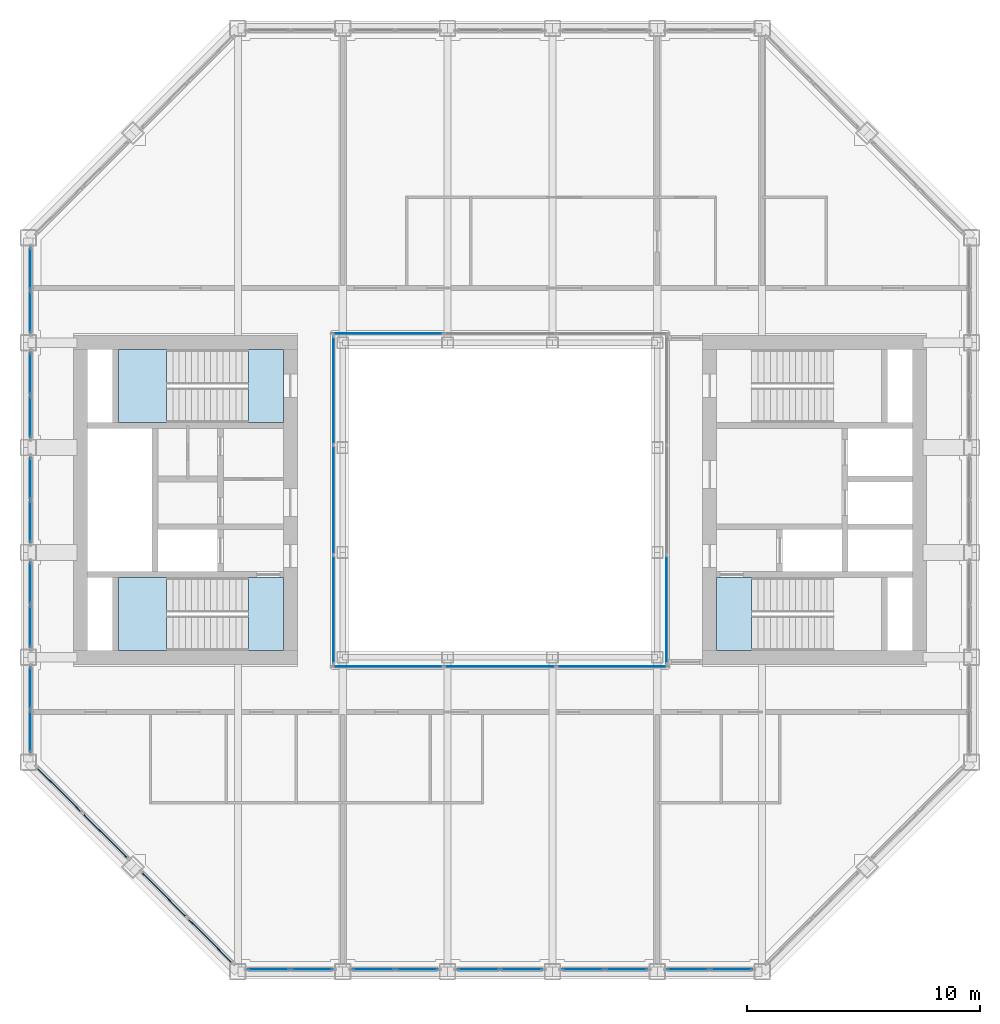
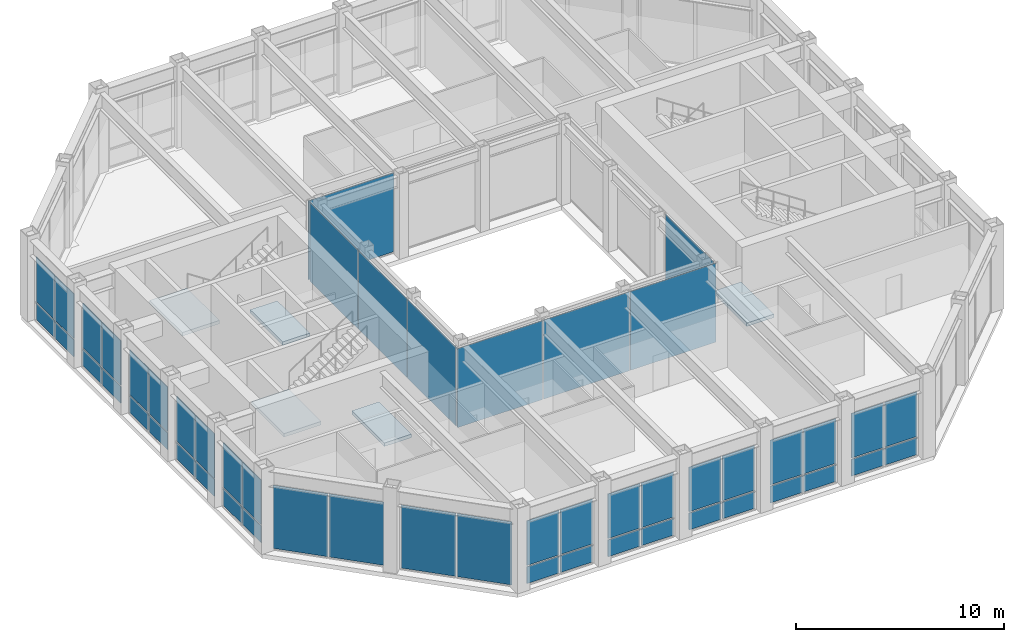
# One storey, part 9 of 15: 52 plates, 5 slabs, 19 elements without a shape of their own.
"""IFC4 building model written with IfcOpenShell, lengths in metres."""

import ifcopenshell
import ifcopenshell.guid

model = None  # the IFC model being written
_history = None  # IfcOwnerHistory: only IFC2X3 demands one
_inside = {}  # id of a spatial element -> (the spatial element, [elements in it])
_under = {}  # id of a project, library or spatial element -> (it, [spatial elements below it])
_declared = {}  # id of a project -> (the project, [libraries it declares])
_typed = {}  # id of a type object -> (the type object, [elements of that type])
_made_of = {}  # id of a material, layer set ... -> (it, [elements and type objects made of it])


def new_model(schema):
    """Start an empty IFC model of exactly this schema.

    Asked for "IFC4X3", IfcOpenShell would pick the latest addendum, in which some entities
    have other attributes; the version numbers below select the first issue.
    IFC2X3 requires an IfcOwnerHistory on every rooted entity: one is made here for all.
    """
    global model, _history
    if schema == "IFC4X3":
        model = ifcopenshell.file(schema_version=(4, 3, 0, 0))
    else:
        model = ifcopenshell.file(schema=schema)
    _inside.clear()
    _under.clear()
    _declared.clear()
    _typed.clear()
    _made_of.clear()
    _history = None
    if model.schema == "IFC2X3":
        org = make("IfcOrganization", Name="unknown")
        user = make(
            "IfcPersonAndOrganization",
            ThePerson=make("IfcPerson", FamilyName="unknown"),
            TheOrganization=org,
        )
        app = make(
            "IfcApplication",
            ApplicationDeveloper=org,
            Version="unknown",
            ApplicationFullName="unknown",
            ApplicationIdentifier="unknown",
        )
        _history = make(
            "IfcOwnerHistory",
            OwningUser=user,
            OwningApplication=app,
            ChangeAction="ADDED",
            CreationDate=0,
        )
    return model


def make(cls, **values):
    """One entity of the class cls with the attributes given. An attribute that is None is left unset."""
    return model.create_entity(
        cls, **{name: value for name, value in values.items() if value is not None}
    )


def rooted(cls, **values):
    """An entity with a GlobalId (a new one), such as an element, a storey or a relation."""
    return make(cls, GlobalId=ifcopenshell.guid.new(), OwnerHistory=_history, **values)


def si_unit(unit_type, name, prefix=None):
    """IfcSIUnit, for example si_unit("LENGTHUNIT", "METRE", prefix="MILLI")."""
    return make("IfcSIUnit", UnitType=unit_type, Prefix=prefix, Name=name)


def assignment(units):
    """IfcUnitAssignment: the units of a project."""
    return None if units is None else make("IfcUnitAssignment", Units=units)


def point(xyz):
    """IfcCartesianPoint."""
    return None if xyz is None else make("IfcCartesianPoint", Coordinates=xyz)


def direction(xyz):
    """IfcDirection."""
    return None if xyz is None else make("IfcDirection", DirectionRatios=xyz)


def frame(location, z_axis=None, x_axis=None):
    """IfcAxis2Placement3D, a coordinate frame: its origin and axes. An axis left out is left unset."""
    return make(
        "IfcAxis2Placement3D",
        Location=point(location),
        Axis=direction(z_axis),
        RefDirection=direction(x_axis),
    )


def frame_2d(location, x_axis=None):
    """IfcAxis2Placement2D, a coordinate frame in the plane: its origin and x axis."""
    return make(
        "IfcAxis2Placement2D", Location=point(location), RefDirection=direction(x_axis)
    )


def origin():
    """The frame at (0, 0, 0) with its axes left unset."""
    return frame((0.0, 0.0, 0.0))


def origin_2d():
    """The frame at (0, 0) in the plane with its x axis left unset."""
    return frame_2d((0.0, 0.0))


def place(relative_to, where):
    """IfcLocalPlacement: puts the frame where relative to a parent placement (None: the world)."""
    return make(
        "IfcLocalPlacement", PlacementRelTo=relative_to, RelativePlacement=where
    )


def context(
    kind, dimensions, precision=None, world=None, true_north=None, identifier=None
):
    """IfcGeometricRepresentationContext, for example the 3D "Model" context."""
    return make(
        "IfcGeometricRepresentationContext",
        ContextIdentifier=identifier,
        ContextType=kind,
        CoordinateSpaceDimension=dimensions,
        Precision=precision,
        WorldCoordinateSystem=world,
        TrueNorth=true_north,
    )


def subcontext(parent, identifier, kind, view, scale=None):
    """IfcGeometricRepresentationSubContext, for example "Body" below "Model"."""
    return make(
        "IfcGeometricRepresentationSubContext",
        ContextIdentifier=identifier,
        ContextType=kind,
        ParentContext=parent,
        TargetScale=scale,
        TargetView=view,
    )


def project(units=None, contexts=None):
    """IfcProject with its units and contexts."""
    return rooted(
        "IfcProject",
        Name="project",
        RepresentationContexts=contexts,
        UnitsInContext=assignment(units),
    )


def spatial(cls, under=None, at=None, **own):
    """A site, building, storey or space (cls), placed at a placement, below another one or the project."""
    s = rooted(cls, ObjectPlacement=at, **own)
    if under is not None:
        _under.setdefault(under.id(), (under, []))[1].append(s)
    return s


def polyline(points):
    """IfcPolyline through the points."""
    return make("IfcPolyline", Points=[point(p) for p in points])


def profile(cls, at=None, kind="AREA", **sizes):
    """A parametric profile (cls). Its sizes go by their IFC names, for example OverallWidth=200.0."""
    return make(cls, ProfileType=kind, Position=at, **sizes)


def rectangle(**sizes):
    """IfcRectangleProfileDef."""
    return profile("IfcRectangleProfileDef", **sizes)


def outline(outer, holes=None, kind="AREA"):
    """IfcArbitraryClosedProfileDef: a profile drawn as a closed curve; with holes, ...WithVoids."""
    if holes is None:
        return make("IfcArbitraryClosedProfileDef", ProfileType=kind, OuterCurve=outer)
    return make(
        "IfcArbitraryProfileDefWithVoids",
        ProfileType=kind,
        OuterCurve=outer,
        InnerCurves=holes,
    )


def extrude(swept, where, along, depth):
    """IfcExtrudedAreaSolid: the profile swept, set in the frame where, extruded along a direction by depth."""
    return make(
        "IfcExtrudedAreaSolid",
        SweptArea=swept,
        Position=where,
        ExtrudedDirection=direction(along),
        Depth=depth,
    )


def shape(context_of_items, identifier, shape_type, items):
    """IfcShapeRepresentation: the items that make up one representation, for example the "Body"."""
    return make(
        "IfcShapeRepresentation",
        ContextOfItems=context_of_items,
        RepresentationIdentifier=identifier,
        RepresentationType=shape_type,
        Items=items,
    )


def material(Name=None, Category=None):
    """IfcMaterial."""
    return make("IfcMaterial", Name=Name, Category=Category)


def layer(
    of_material, thickness, ventilated=None, Name=None, Category=None, Priority=None
):
    """IfcMaterialLayer: one layer of a wall or slab, of a material (None: an air gap)."""
    return make(
        "IfcMaterialLayer",
        Material=of_material,
        LayerThickness=thickness,
        IsVentilated=ventilated,
        Name=Name,
        Category=Category,
        Priority=Priority,
    )


def layer_set(layers, Name=None):
    """IfcMaterialLayerSet."""
    return make("IfcMaterialLayerSet", MaterialLayers=layers, LayerSetName=Name)


def made_of(thing, what):
    """Note that an element or type object is made of a material, layer set ...; save() writes the relation."""
    if what is not None:
        _made_of.setdefault(what.id(), (what, []))[1].append(thing)
    return thing


def type_object(cls, material=None, **own):
    """A type object (cls), such as IfcWallType, which elements share."""
    return made_of(rooted(cls, **own), material)


def element(
    cls,
    number,
    at=None,
    inside=None,
    cuts=None,
    type_object=None,
    material=None,
    context=None,
    identifier="Body",
    shape_type=None,
    held_by="IfcProductDefinitionShape",
    body=None,
    shapes=None,
    **own,
):
    """One element of the class cls, such as IfcWall. Its Tag is "e" and its number.

    at: its placement. inside: the storey or other place that contains it. cuts: it is an
    opening in that element (IfcRelVoidsElement). A single representation is given by context,
    identifier, shape_type and body (its items); several are given by shapes. held_by: the class
    of the entity that holds the representations. save() writes the other relations.
    """
    e = rooted(cls, Tag="e%d" % number, ObjectPlacement=at, **own)
    if body is not None:
        shapes = [shape(context, identifier, shape_type, body)]
    if shapes is not None:
        e.Representation = make(held_by, Representations=shapes)
    if inside is not None:
        _inside.setdefault(inside.id(), (inside, []))[1].append(e)
    if cuts is not None:
        rooted(
            "IfcRelVoidsElement", RelatingBuildingElement=cuts, RelatedOpeningElement=e
        )
    if type_object is not None:
        _typed.setdefault(type_object.id(), (type_object, []))[1].append(e)
    return made_of(e, material)


def aggregate(whole, parts):
    """IfcRelAggregates: a whole, such as a stair, and the parts it consists of."""
    return rooted("IfcRelAggregates", RelatingObject=whole, RelatedObjects=parts)


def save(model, path):
    """Write the relations noted so far, then the file.

    IfcRelAggregates (storeys below a building ...), IfcRelContainedInSpatialStructure (elements
    in a storey), IfcRelDefinesByType, IfcRelAssociatesMaterial and IfcRelDeclares: one each for
    every whole, place, type object, material and project.
    """
    for whole, parts in _under.values():
        aggregate(whole, parts)
    for where, things in _inside.values():
        rooted(
            "IfcRelContainedInSpatialStructure",
            RelatedElements=things,
            RelatingStructure=where,
        )
    for kind, things in _typed.values():
        rooted("IfcRelDefinesByType", RelatedObjects=things, RelatingType=kind)
    for what, things in _made_of.values():
        rooted("IfcRelAssociatesMaterial", RelatedObjects=things, RelatingMaterial=what)
    for by, libraries in _declared.values():
        rooted("IfcRelDeclares", RelatingContext=by, RelatedDefinitions=libraries)
    model.write(path)


model = new_model("IFC4")

# Units and contexts
model_context = context("Model", 3, precision=1e-05, world=origin(), true_north=direction((0.0, 1.0)))
body_context = subcontext(model_context, "Body", "Model", "MODEL_VIEW")
ifc_project = project(units=[si_unit("LENGTHUNIT", "METRE"), si_unit("AREAUNIT", "SQUARE_METRE"), si_unit("VOLUMEUNIT", "CUBIC_METRE"), si_unit("PLANEANGLEUNIT", "RADIAN"), si_unit("MASSUNIT", "GRAM", prefix="KILO")], contexts=[model_context])

# Site, building, storey
site_placement = place(None, origin())
site = spatial("IfcSite", under=ifc_project, at=site_placement, CompositionType="ELEMENT")
building_placement = place(site_placement, origin())
building = spatial("IfcBuilding", under=site, at=building_placement, Name="Msasa Ring Tower", CompositionType="ELEMENT")
storey_placement = place(building_placement, frame((0.0, 0.0, 257.050048828125)))
storey = spatial("IfcBuildingStorey", under=building, at=storey_placement, Name="L67", CompositionType="ELEMENT", Elevation=257.050048828125)

# Curtain wall, plates
ifc_material_1 = material(Name="Aluminium curtain wall with clear glass", Category="aluminium")
curtain_wall_type_1 = type_object("IfcCurtainWallType", Name="CW-C CHAMFER CORNER CURTAIN WALL", PredefinedType="NOTDEFINED", material=ifc_material_1)
curtain_wall_1_placement = place(storey_placement, origin())
curtain_wall_1 = element("IfcCurtainWall", 1, at=curtain_wall_1_placement, inside=storey, type_object=curtain_wall_type_1, Name="Chamfer corner curtain wall SW L67", PredefinedType="NOTDEFINED")
ifc_material_2 = material(Name="Clear laminated insulating glass unit", Category="glass")
ifc_layer_1 = layer(ifc_material_2, 0.031982421875)
ifc_layer_set_1 = layer_set([ifc_layer_1], Name="CW-C GLASS PANEL 32")
plate_type_1 = type_object("IfcPlateType", Name="CW-C GLASS PANEL 32", PredefinedType="CURTAIN_PANEL", material=ifc_layer_set_1)
plate_1_placement = place(storey_placement, frame((-18.917236328125, -12.44140625, 0.06494140625), z_axis=(0.0, 0.0, 1.0), x_axis=(0.707106781187, -0.707106781187, 0.0)))
plate_1 = element("IfcPlate", 2, at=plate_1_placement, type_object=plate_type_1, Name="CW-C panel 1.1", PredefinedType="CURTAIN_PANEL", context=body_context, shape_type="SweptSolid", body=[
    extrude(rectangle(XDim=2.7294921875, YDim=0.031982421875, at=origin_2d()), origin(), (0.0, 0.0, 1.0), 3.698974609375),
])
plate_2_placement = place(storey_placement, frame((-16.94140625, -14.417236328125, 0.06494140625), z_axis=(0.0, 0.0, 1.0), x_axis=(0.707106781187, -0.707106781187, 0.0)))
plate_2 = element("IfcPlate", 3, at=plate_2_placement, type_object=plate_type_1, Name="CW-C panel 2.1", PredefinedType="CURTAIN_PANEL", context=body_context, shape_type="SweptSolid", body=[
    extrude(rectangle(XDim=2.7294921875, YDim=0.031982421875, at=origin_2d()), origin(), (0.0, 0.0, 1.0), 3.698974609375),
])
aggregate(curtain_wall_1, [plate_1, plate_2])

curtain_wall_2_placement = place(storey_placement, origin())
curtain_wall_2 = element("IfcCurtainWall", 4, at=curtain_wall_2_placement, inside=storey, type_object=curtain_wall_type_1, Name="Chamfer corner curtain wall SW L67", PredefinedType="NOTDEFINED")
plate_3_placement = place(storey_placement, frame((-14.417236328125, -16.94140625, 0.06494140625), z_axis=(0.0, 0.0, 1.0), x_axis=(0.707106781187, -0.707106781187, 0.0)))
plate_3 = element("IfcPlate", 5, at=plate_3_placement, type_object=plate_type_1, Name="CW-C panel 1.1", PredefinedType="CURTAIN_PANEL", context=body_context, shape_type="SweptSolid", body=[
    extrude(rectangle(XDim=2.7294921875, YDim=0.031982421875, at=origin_2d()), origin(), (0.0, 0.0, 1.0), 3.698974609375),
])
plate_4_placement = place(storey_placement, frame((-12.44140625, -18.917236328125, 0.06494140625), z_axis=(0.0, 0.0, 1.0), x_axis=(0.707106781187, -0.707106781187, 0.0)))
plate_4 = element("IfcPlate", 6, at=plate_4_placement, type_object=plate_type_1, Name="CW-C panel 2.1", PredefinedType="CURTAIN_PANEL", context=body_context, shape_type="SweptSolid", body=[
    extrude(rectangle(XDim=2.7294921875, YDim=0.031982421875, at=origin_2d()), origin(), (0.0, 0.0, 1.0), 3.698974609375),
])
aggregate(curtain_wall_2, [plate_3, plate_4])

ifc_material_3 = material(Name="Aluminium curtain wall with clear glass", Category="aluminium")
curtain_wall_type_2 = type_object("IfcCurtainWallType", Name="CW-S SKY LOBBY CURTAIN WALL", PredefinedType="NOTDEFINED", material=ifc_material_3)
curtain_wall_3_placement = place(storey_placement, origin())
curtain_wall_3 = element("IfcCurtainWall", 7, at=curtain_wall_3_placement, inside=storey, type_object=curtain_wall_type_2, Name="Sky lobby curtain wall S L67", PredefinedType="NOTDEFINED")
ifc_material_4 = material(Name="Clear laminated insulating glass unit", Category="glass")
ifc_layer_2 = layer(ifc_material_4, 0.035888671875)
ifc_layer_set_2 = layer_set([ifc_layer_2], Name="CW-S GLASS PANEL 36")
plate_type_2 = type_object("IfcPlateType", Name="CW-S GLASS PANEL 36", PredefinedType="CURTAIN_PANEL", material=ifc_layer_set_2)
plate_5_placement = place(storey_placement, frame((-9.9287109375, -20.14990234375, 0.07470703125), z_axis=(0.0, 0.0, 1.0), x_axis=(1.0, 0.0, 0.0)))
plate_5 = element("IfcPlate", 8, at=plate_5_placement, type_object=plate_type_2, Name="CW-S panel 1.1", PredefinedType="CURTAIN_PANEL", context=body_context, shape_type="SweptSolid", body=[
    extrude(rectangle(XDim=1.782470703125, YDim=0.035888671875, at=origin_2d()), origin(), (0.0, 0.0, 1.0), 0.987548828125),
])
plate_6_placement = place(storey_placement, frame((-9.9287109375, -20.14990234375, 1.1376953125), z_axis=(0.0, 0.0, 1.0), x_axis=(1.0, 0.0, 0.0)))
plate_6 = element("IfcPlate", 9, at=plate_6_placement, type_object=plate_type_2, Name="CW-S panel 1.2", PredefinedType="CURTAIN_PANEL", context=body_context, shape_type="SweptSolid", body=[
    extrude(rectangle(XDim=1.782470703125, YDim=0.035888671875, at=origin_2d()), origin(), (0.0, 0.0, 1.0), 2.616455078125),
])
plate_7_placement = place(storey_placement, frame((-8.0712890625, -20.14990234375, 0.07470703125), z_axis=(0.0, 0.0, 1.0), x_axis=(1.0, 0.0, 0.0)))
plate_7 = element("IfcPlate", 10, at=plate_7_placement, type_object=plate_type_2, Name="CW-S panel 2.1", PredefinedType="CURTAIN_PANEL", context=body_context, shape_type="SweptSolid", body=[
    extrude(rectangle(XDim=1.782470703125, YDim=0.035888671875, at=origin_2d()), origin(), (0.0, 0.0, 1.0), 0.987548828125),
])
plate_8_placement = place(storey_placement, frame((-8.0712890625, -20.14990234375, 1.1376953125), z_axis=(0.0, 0.0, 1.0), x_axis=(1.0, 0.0, 0.0)))
plate_8 = element("IfcPlate", 11, at=plate_8_placement, type_object=plate_type_2, Name="CW-S panel 2.2", PredefinedType="CURTAIN_PANEL", context=body_context, shape_type="SweptSolid", body=[
    extrude(rectangle(XDim=1.782470703125, YDim=0.035888671875, at=origin_2d()), origin(), (0.0, 0.0, 1.0), 2.616455078125),
])
aggregate(curtain_wall_3, [plate_5, plate_6, plate_7, plate_8])

curtain_wall_4_placement = place(storey_placement, origin())
curtain_wall_4 = element("IfcCurtainWall", 12, at=curtain_wall_4_placement, inside=storey, type_object=curtain_wall_type_2, Name="Sky lobby curtain wall S L67", PredefinedType="NOTDEFINED")
plate_9_placement = place(storey_placement, frame((-5.4287109375, -20.14990234375, 0.07470703125), z_axis=(0.0, 0.0, 1.0), x_axis=(1.0, 0.0, 0.0)))
plate_9 = element("IfcPlate", 13, at=plate_9_placement, type_object=plate_type_2, Name="CW-S panel 1.1", PredefinedType="CURTAIN_PANEL", context=body_context, shape_type="SweptSolid", body=[
    extrude(rectangle(XDim=1.782470703125, YDim=0.035888671875, at=origin_2d()), origin(), (0.0, 0.0, 1.0), 0.987548828125),
])
plate_10_placement = place(storey_placement, frame((-5.4287109375, -20.14990234375, 1.1376953125), z_axis=(0.0, 0.0, 1.0), x_axis=(1.0, 0.0, 0.0)))
plate_10 = element("IfcPlate", 14, at=plate_10_placement, type_object=plate_type_2, Name="CW-S panel 1.2", PredefinedType="CURTAIN_PANEL", context=body_context, shape_type="SweptSolid", body=[
    extrude(rectangle(XDim=1.782470703125, YDim=0.035888671875, at=origin_2d()), origin(), (0.0, 0.0, 1.0), 2.616455078125),
])
plate_11_placement = place(storey_placement, frame((-3.5712890625, -20.14990234375, 0.07470703125), z_axis=(0.0, 0.0, 1.0), x_axis=(1.0, 0.0, 0.0)))
plate_11 = element("IfcPlate", 15, at=plate_11_placement, type_object=plate_type_2, Name="CW-S panel 2.1", PredefinedType="CURTAIN_PANEL", context=body_context, shape_type="SweptSolid", body=[
    extrude(rectangle(XDim=1.782470703125, YDim=0.035888671875, at=origin_2d()), origin(), (0.0, 0.0, 1.0), 0.987548828125),
])
plate_12_placement = place(storey_placement, frame((-3.5712890625, -20.14990234375, 1.1376953125), z_axis=(0.0, 0.0, 1.0), x_axis=(1.0, 0.0, 0.0)))
plate_12 = element("IfcPlate", 16, at=plate_12_placement, type_object=plate_type_2, Name="CW-S panel 2.2", PredefinedType="CURTAIN_PANEL", context=body_context, shape_type="SweptSolid", body=[
    extrude(rectangle(XDim=1.782470703125, YDim=0.035888671875, at=origin_2d()), origin(), (0.0, 0.0, 1.0), 2.616455078125),
])
aggregate(curtain_wall_4, [plate_9, plate_10, plate_11, plate_12])

curtain_wall_5_placement = place(storey_placement, origin())
curtain_wall_5 = element("IfcCurtainWall", 17, at=curtain_wall_5_placement, inside=storey, type_object=curtain_wall_type_2, Name="Sky lobby curtain wall S L67", PredefinedType="NOTDEFINED")
plate_13_placement = place(storey_placement, frame((-0.9287109375, -20.14990234375, 0.07470703125), z_axis=(0.0, 0.0, 1.0), x_axis=(1.0, 0.0, 0.0)))
plate_13 = element("IfcPlate", 18, at=plate_13_placement, type_object=plate_type_2, Name="CW-S panel 1.1", PredefinedType="CURTAIN_PANEL", context=body_context, shape_type="SweptSolid", body=[
    extrude(rectangle(XDim=1.782470703125, YDim=0.035888671875, at=origin_2d()), origin(), (0.0, 0.0, 1.0), 0.987548828125),
])
plate_14_placement = place(storey_placement, frame((-0.9287109375, -20.14990234375, 1.1376953125), z_axis=(0.0, 0.0, 1.0), x_axis=(1.0, 0.0, 0.0)))
plate_14 = element("IfcPlate", 19, at=plate_14_placement, type_object=plate_type_2, Name="CW-S panel 1.2", PredefinedType="CURTAIN_PANEL", context=body_context, shape_type="SweptSolid", body=[
    extrude(rectangle(XDim=1.782470703125, YDim=0.035888671875, at=origin_2d()), origin(), (0.0, 0.0, 1.0), 2.616455078125),
])
plate_15_placement = place(storey_placement, frame((0.9287109375, -20.14990234375, 0.07470703125), z_axis=(0.0, 0.0, 1.0), x_axis=(1.0, 0.0, 0.0)))
plate_15 = element("IfcPlate", 20, at=plate_15_placement, type_object=plate_type_2, Name="CW-S panel 2.1", PredefinedType="CURTAIN_PANEL", context=body_context, shape_type="SweptSolid", body=[
    extrude(rectangle(XDim=1.782470703125, YDim=0.035888671875, at=origin_2d()), origin(), (0.0, 0.0, 1.0), 0.987548828125),
])
plate_16_placement = place(storey_placement, frame((0.9287109375, -20.14990234375, 1.1376953125), z_axis=(0.0, 0.0, 1.0), x_axis=(1.0, 0.0, 0.0)))
plate_16 = element("IfcPlate", 21, at=plate_16_placement, type_object=plate_type_2, Name="CW-S panel 2.2", PredefinedType="CURTAIN_PANEL", context=body_context, shape_type="SweptSolid", body=[
    extrude(rectangle(XDim=1.782470703125, YDim=0.035888671875, at=origin_2d()), origin(), (0.0, 0.0, 1.0), 2.616455078125),
])
aggregate(curtain_wall_5, [plate_13, plate_14, plate_15, plate_16])

curtain_wall_6_placement = place(storey_placement, origin())
curtain_wall_6 = element("IfcCurtainWall", 22, at=curtain_wall_6_placement, inside=storey, type_object=curtain_wall_type_2, Name="Sky lobby curtain wall S L67", PredefinedType="NOTDEFINED")
plate_17_placement = place(storey_placement, frame((3.5712890625, -20.14990234375, 0.07470703125), z_axis=(0.0, 0.0, 1.0), x_axis=(1.0, 0.0, 0.0)))
plate_17 = element("IfcPlate", 23, at=plate_17_placement, type_object=plate_type_2, Name="CW-S panel 1.1", PredefinedType="CURTAIN_PANEL", context=body_context, shape_type="SweptSolid", body=[
    extrude(rectangle(XDim=1.782470703125, YDim=0.035888671875, at=origin_2d()), origin(), (0.0, 0.0, 1.0), 0.987548828125),
])
plate_18_placement = place(storey_placement, frame((3.5712890625, -20.14990234375, 1.1376953125), z_axis=(0.0, 0.0, 1.0), x_axis=(1.0, 0.0, 0.0)))
plate_18 = element("IfcPlate", 24, at=plate_18_placement, type_object=plate_type_2, Name="CW-S panel 1.2", PredefinedType="CURTAIN_PANEL", context=body_context, shape_type="SweptSolid", body=[
    extrude(rectangle(XDim=1.782470703125, YDim=0.035888671875, at=origin_2d()), origin(), (0.0, 0.0, 1.0), 2.616455078125),
])
plate_19_placement = place(storey_placement, frame((5.4287109375, -20.14990234375, 0.07470703125), z_axis=(0.0, 0.0, 1.0), x_axis=(1.0, 0.0, 0.0)))
plate_19 = element("IfcPlate", 25, at=plate_19_placement, type_object=plate_type_2, Name="CW-S panel 2.1", PredefinedType="CURTAIN_PANEL", context=body_context, shape_type="SweptSolid", body=[
    extrude(rectangle(XDim=1.782470703125, YDim=0.035888671875, at=origin_2d()), origin(), (0.0, 0.0, 1.0), 0.987548828125),
])
plate_20_placement = place(storey_placement, frame((5.4287109375, -20.14990234375, 1.1376953125), z_axis=(0.0, 0.0, 1.0), x_axis=(1.0, 0.0, 0.0)))
plate_20 = element("IfcPlate", 26, at=plate_20_placement, type_object=plate_type_2, Name="CW-S panel 2.2", PredefinedType="CURTAIN_PANEL", context=body_context, shape_type="SweptSolid", body=[
    extrude(rectangle(XDim=1.782470703125, YDim=0.035888671875, at=origin_2d()), origin(), (0.0, 0.0, 1.0), 2.616455078125),
])
aggregate(curtain_wall_6, [plate_17, plate_18, plate_19, plate_20])

curtain_wall_7_placement = place(storey_placement, origin())
curtain_wall_7 = element("IfcCurtainWall", 27, at=curtain_wall_7_placement, inside=storey, type_object=curtain_wall_type_2, Name="Sky lobby curtain wall S L67", PredefinedType="NOTDEFINED")
plate_21_placement = place(storey_placement, frame((8.0712890625, -20.14990234375, 0.07470703125), z_axis=(0.0, 0.0, 1.0), x_axis=(1.0, 0.0, 0.0)))
plate_21 = element("IfcPlate", 28, at=plate_21_placement, type_object=plate_type_2, Name="CW-S panel 1.1", PredefinedType="CURTAIN_PANEL", context=body_context, shape_type="SweptSolid", body=[
    extrude(rectangle(XDim=1.782470703125, YDim=0.035888671875, at=origin_2d()), origin(), (0.0, 0.0, 1.0), 0.987548828125),
])
plate_22_placement = place(storey_placement, frame((8.0712890625, -20.14990234375, 1.1376953125), z_axis=(0.0, 0.0, 1.0), x_axis=(1.0, 0.0, 0.0)))
plate_22 = element("IfcPlate", 29, at=plate_22_placement, type_object=plate_type_2, Name="CW-S panel 1.2", PredefinedType="CURTAIN_PANEL", context=body_context, shape_type="SweptSolid", body=[
    extrude(rectangle(XDim=1.782470703125, YDim=0.035888671875, at=origin_2d()), origin(), (0.0, 0.0, 1.0), 2.616455078125),
])
plate_23_placement = place(storey_placement, frame((9.9287109375, -20.14990234375, 0.07470703125), z_axis=(0.0, 0.0, 1.0), x_axis=(1.0, 0.0, 0.0)))
plate_23 = element("IfcPlate", 30, at=plate_23_placement, type_object=plate_type_2, Name="CW-S panel 2.1", PredefinedType="CURTAIN_PANEL", context=body_context, shape_type="SweptSolid", body=[
    extrude(rectangle(XDim=1.782470703125, YDim=0.035888671875, at=origin_2d()), origin(), (0.0, 0.0, 1.0), 0.987548828125),
])
plate_24_placement = place(storey_placement, frame((9.9287109375, -20.14990234375, 1.1376953125), z_axis=(0.0, 0.0, 1.0), x_axis=(1.0, 0.0, 0.0)))
plate_24 = element("IfcPlate", 31, at=plate_24_placement, type_object=plate_type_2, Name="CW-S panel 2.2", PredefinedType="CURTAIN_PANEL", context=body_context, shape_type="SweptSolid", body=[
    extrude(rectangle(XDim=1.782470703125, YDim=0.035888671875, at=origin_2d()), origin(), (0.0, 0.0, 1.0), 2.616455078125),
])
aggregate(curtain_wall_7, [plate_21, plate_22, plate_23, plate_24])

curtain_wall_8_placement = place(storey_placement, origin())
curtain_wall_8 = element("IfcCurtainWall", 32, at=curtain_wall_8_placement, inside=storey, type_object=curtain_wall_type_2, Name="Sky lobby curtain wall W L67", PredefinedType="NOTDEFINED")
plate_25_placement = place(storey_placement, frame((-20.14990234375, -9.9287109375, 0.07470703125), z_axis=(0.0, 0.0, 1.0), x_axis=(0.0, 1.0, 0.0)))
plate_25 = element("IfcPlate", 33, at=plate_25_placement, type_object=plate_type_2, Name="CW-S panel 1.1", PredefinedType="CURTAIN_PANEL", context=body_context, shape_type="SweptSolid", body=[
    extrude(rectangle(XDim=1.782470703125, YDim=0.035888671875, at=origin_2d()), origin(), (0.0, 0.0, 1.0), 0.987548828125),
])
plate_26_placement = place(storey_placement, frame((-20.14990234375, -9.9287109375, 1.1376953125), z_axis=(0.0, 0.0, 1.0), x_axis=(0.0, 1.0, 0.0)))
plate_26 = element("IfcPlate", 34, at=plate_26_placement, type_object=plate_type_2, Name="CW-S panel 1.2", PredefinedType="CURTAIN_PANEL", context=body_context, shape_type="SweptSolid", body=[
    extrude(rectangle(XDim=1.782470703125, YDim=0.035888671875, at=origin_2d()), origin(), (0.0, 0.0, 1.0), 2.616455078125),
])
plate_27_placement = place(storey_placement, frame((-20.14990234375, -8.0712890625, 0.07470703125), z_axis=(0.0, 0.0, 1.0), x_axis=(0.0, 1.0, 0.0)))
plate_27 = element("IfcPlate", 35, at=plate_27_placement, type_object=plate_type_2, Name="CW-S panel 2.1", PredefinedType="CURTAIN_PANEL", context=body_context, shape_type="SweptSolid", body=[
    extrude(rectangle(XDim=1.782470703125, YDim=0.035888671875, at=origin_2d()), origin(), (0.0, 0.0, 1.0), 0.987548828125),
])
plate_28_placement = place(storey_placement, frame((-20.14990234375, -8.0712890625, 1.1376953125), z_axis=(0.0, 0.0, 1.0), x_axis=(0.0, 1.0, 0.0)))
plate_28 = element("IfcPlate", 36, at=plate_28_placement, type_object=plate_type_2, Name="CW-S panel 2.2", PredefinedType="CURTAIN_PANEL", context=body_context, shape_type="SweptSolid", body=[
    extrude(rectangle(XDim=1.782470703125, YDim=0.035888671875, at=origin_2d()), origin(), (0.0, 0.0, 1.0), 2.616455078125),
])
aggregate(curtain_wall_8, [plate_25, plate_26, plate_27, plate_28])

curtain_wall_9_placement = place(storey_placement, origin())
curtain_wall_9 = element("IfcCurtainWall", 37, at=curtain_wall_9_placement, inside=storey, type_object=curtain_wall_type_2, Name="Sky lobby curtain wall W L67", PredefinedType="NOTDEFINED")
plate_29_placement = place(storey_placement, frame((-20.14990234375, -5.4287109375, 0.07470703125), z_axis=(0.0, 0.0, 1.0), x_axis=(0.0, 1.0, 0.0)))
plate_29 = element("IfcPlate", 38, at=plate_29_placement, type_object=plate_type_2, Name="CW-S panel 1.1", PredefinedType="CURTAIN_PANEL", context=body_context, shape_type="SweptSolid", body=[
    extrude(rectangle(XDim=1.782470703125, YDim=0.035888671875, at=origin_2d()), origin(), (0.0, 0.0, 1.0), 0.987548828125),
])
plate_30_placement = place(storey_placement, frame((-20.14990234375, -5.4287109375, 1.1376953125), z_axis=(0.0, 0.0, 1.0), x_axis=(0.0, 1.0, 0.0)))
plate_30 = element("IfcPlate", 39, at=plate_30_placement, type_object=plate_type_2, Name="CW-S panel 1.2", PredefinedType="CURTAIN_PANEL", context=body_context, shape_type="SweptSolid", body=[
    extrude(rectangle(XDim=1.782470703125, YDim=0.035888671875, at=origin_2d()), origin(), (0.0, 0.0, 1.0), 2.616455078125),
])
plate_31_placement = place(storey_placement, frame((-20.14990234375, -3.5712890625, 0.07470703125), z_axis=(0.0, 0.0, 1.0), x_axis=(0.0, 1.0, 0.0)))
plate_31 = element("IfcPlate", 40, at=plate_31_placement, type_object=plate_type_2, Name="CW-S panel 2.1", PredefinedType="CURTAIN_PANEL", context=body_context, shape_type="SweptSolid", body=[
    extrude(rectangle(XDim=1.782470703125, YDim=0.035888671875, at=origin_2d()), origin(), (0.0, 0.0, 1.0), 0.987548828125),
])
plate_32_placement = place(storey_placement, frame((-20.14990234375, -3.5712890625, 1.1376953125), z_axis=(0.0, 0.0, 1.0), x_axis=(0.0, 1.0, 0.0)))
plate_32 = element("IfcPlate", 41, at=plate_32_placement, type_object=plate_type_2, Name="CW-S panel 2.2", PredefinedType="CURTAIN_PANEL", context=body_context, shape_type="SweptSolid", body=[
    extrude(rectangle(XDim=1.782470703125, YDim=0.035888671875, at=origin_2d()), origin(), (0.0, 0.0, 1.0), 2.616455078125),
])
aggregate(curtain_wall_9, [plate_29, plate_30, plate_31, plate_32])

curtain_wall_10_placement = place(storey_placement, origin())
curtain_wall_10 = element("IfcCurtainWall", 42, at=curtain_wall_10_placement, inside=storey, type_object=curtain_wall_type_2, Name="Sky lobby curtain wall W L67", PredefinedType="NOTDEFINED")
plate_33_placement = place(storey_placement, frame((-20.14990234375, -0.9287109375, 0.07470703125), z_axis=(0.0, 0.0, 1.0), x_axis=(0.0, 1.0, 0.0)))
plate_33 = element("IfcPlate", 43, at=plate_33_placement, type_object=plate_type_2, Name="CW-S panel 1.1", PredefinedType="CURTAIN_PANEL", context=body_context, shape_type="SweptSolid", body=[
    extrude(rectangle(XDim=1.782470703125, YDim=0.035888671875, at=origin_2d()), origin(), (0.0, 0.0, 1.0), 0.987548828125),
])
plate_34_placement = place(storey_placement, frame((-20.14990234375, -0.9287109375, 1.1376953125), z_axis=(0.0, 0.0, 1.0), x_axis=(0.0, 1.0, 0.0)))
plate_34 = element("IfcPlate", 44, at=plate_34_placement, type_object=plate_type_2, Name="CW-S panel 1.2", PredefinedType="CURTAIN_PANEL", context=body_context, shape_type="SweptSolid", body=[
    extrude(rectangle(XDim=1.782470703125, YDim=0.035888671875, at=origin_2d()), origin(), (0.0, 0.0, 1.0), 2.616455078125),
])
plate_35_placement = place(storey_placement, frame((-20.14990234375, 0.9287109375, 0.07470703125), z_axis=(0.0, 0.0, 1.0), x_axis=(0.0, 1.0, 0.0)))
plate_35 = element("IfcPlate", 45, at=plate_35_placement, type_object=plate_type_2, Name="CW-S panel 2.1", PredefinedType="CURTAIN_PANEL", context=body_context, shape_type="SweptSolid", body=[
    extrude(rectangle(XDim=1.782470703125, YDim=0.035888671875, at=origin_2d()), origin(), (0.0, 0.0, 1.0), 0.987548828125),
])
plate_36_placement = place(storey_placement, frame((-20.14990234375, 0.9287109375, 1.1376953125), z_axis=(0.0, 0.0, 1.0), x_axis=(0.0, 1.0, 0.0)))
plate_36 = element("IfcPlate", 46, at=plate_36_placement, type_object=plate_type_2, Name="CW-S panel 2.2", PredefinedType="CURTAIN_PANEL", context=body_context, shape_type="SweptSolid", body=[
    extrude(rectangle(XDim=1.782470703125, YDim=0.035888671875, at=origin_2d()), origin(), (0.0, 0.0, 1.0), 2.616455078125),
])
aggregate(curtain_wall_10, [plate_33, plate_34, plate_35, plate_36])

curtain_wall_11_placement = place(storey_placement, origin())
curtain_wall_11 = element("IfcCurtainWall", 47, at=curtain_wall_11_placement, inside=storey, type_object=curtain_wall_type_2, Name="Sky lobby curtain wall W L67", PredefinedType="NOTDEFINED")
plate_37_placement = place(storey_placement, frame((-20.14990234375, 3.5712890625, 0.07470703125), z_axis=(0.0, 0.0, 1.0), x_axis=(0.0, 1.0, 0.0)))
plate_37 = element("IfcPlate", 48, at=plate_37_placement, type_object=plate_type_2, Name="CW-S panel 1.1", PredefinedType="CURTAIN_PANEL", context=body_context, shape_type="SweptSolid", body=[
    extrude(rectangle(XDim=1.782470703125, YDim=0.035888671875, at=origin_2d()), origin(), (0.0, 0.0, 1.0), 0.987548828125),
])
plate_38_placement = place(storey_placement, frame((-20.14990234375, 3.5712890625, 1.1376953125), z_axis=(0.0, 0.0, 1.0), x_axis=(0.0, 1.0, 0.0)))
plate_38 = element("IfcPlate", 49, at=plate_38_placement, type_object=plate_type_2, Name="CW-S panel 1.2", PredefinedType="CURTAIN_PANEL", context=body_context, shape_type="SweptSolid", body=[
    extrude(rectangle(XDim=1.782470703125, YDim=0.035888671875, at=origin_2d()), origin(), (0.0, 0.0, 1.0), 2.616455078125),
])
plate_39_placement = place(storey_placement, frame((-20.14990234375, 5.4287109375, 0.07470703125), z_axis=(0.0, 0.0, 1.0), x_axis=(0.0, 1.0, 0.0)))
plate_39 = element("IfcPlate", 50, at=plate_39_placement, type_object=plate_type_2, Name="CW-S panel 2.1", PredefinedType="CURTAIN_PANEL", context=body_context, shape_type="SweptSolid", body=[
    extrude(rectangle(XDim=1.782470703125, YDim=0.035888671875, at=origin_2d()), origin(), (0.0, 0.0, 1.0), 0.987548828125),
])
plate_40_placement = place(storey_placement, frame((-20.14990234375, 5.4287109375, 1.1376953125), z_axis=(0.0, 0.0, 1.0), x_axis=(0.0, 1.0, 0.0)))
plate_40 = element("IfcPlate", 51, at=plate_40_placement, type_object=plate_type_2, Name="CW-S panel 2.2", PredefinedType="CURTAIN_PANEL", context=body_context, shape_type="SweptSolid", body=[
    extrude(rectangle(XDim=1.782470703125, YDim=0.035888671875, at=origin_2d()), origin(), (0.0, 0.0, 1.0), 2.616455078125),
])
aggregate(curtain_wall_11, [plate_37, plate_38, plate_39, plate_40])

curtain_wall_12_placement = place(storey_placement, origin())
curtain_wall_12 = element("IfcCurtainWall", 52, at=curtain_wall_12_placement, inside=storey, type_object=curtain_wall_type_2, Name="Sky lobby curtain wall W L67", PredefinedType="NOTDEFINED")
plate_41_placement = place(storey_placement, frame((-20.14990234375, 8.0712890625, 0.07470703125), z_axis=(0.0, 0.0, 1.0), x_axis=(0.0, 1.0, 0.0)))
plate_41 = element("IfcPlate", 53, at=plate_41_placement, type_object=plate_type_2, Name="CW-S panel 1.1", PredefinedType="CURTAIN_PANEL", context=body_context, shape_type="SweptSolid", body=[
    extrude(rectangle(XDim=1.782470703125, YDim=0.035888671875, at=origin_2d()), origin(), (0.0, 0.0, 1.0), 0.987548828125),
])
plate_42_placement = place(storey_placement, frame((-20.14990234375, 8.0712890625, 1.1376953125), z_axis=(0.0, 0.0, 1.0), x_axis=(0.0, 1.0, 0.0)))
plate_42 = element("IfcPlate", 54, at=plate_42_placement, type_object=plate_type_2, Name="CW-S panel 1.2", PredefinedType="CURTAIN_PANEL", context=body_context, shape_type="SweptSolid", body=[
    extrude(rectangle(XDim=1.782470703125, YDim=0.035888671875, at=origin_2d()), origin(), (0.0, 0.0, 1.0), 2.616455078125),
])
plate_43_placement = place(storey_placement, frame((-20.14990234375, 9.9287109375, 0.07470703125), z_axis=(0.0, 0.0, 1.0), x_axis=(0.0, 1.0, 0.0)))
plate_43 = element("IfcPlate", 55, at=plate_43_placement, type_object=plate_type_2, Name="CW-S panel 2.1", PredefinedType="CURTAIN_PANEL", context=body_context, shape_type="SweptSolid", body=[
    extrude(rectangle(XDim=1.782470703125, YDim=0.035888671875, at=origin_2d()), origin(), (0.0, 0.0, 1.0), 0.987548828125),
])
plate_44_placement = place(storey_placement, frame((-20.14990234375, 9.9287109375, 1.1376953125), z_axis=(0.0, 0.0, 1.0), x_axis=(0.0, 1.0, 0.0)))
plate_44 = element("IfcPlate", 56, at=plate_44_placement, type_object=plate_type_2, Name="CW-S panel 2.2", PredefinedType="CURTAIN_PANEL", context=body_context, shape_type="SweptSolid", body=[
    extrude(rectangle(XDim=1.782470703125, YDim=0.035888671875, at=origin_2d()), origin(), (0.0, 0.0, 1.0), 2.616455078125),
])
aggregate(curtain_wall_12, [plate_41, plate_42, plate_43, plate_44])

# Curtain wall, plate
ifc_material_5 = material(Name="Aluminium curtain wall with clear glass", Category="aluminium")
curtain_wall_type_3 = type_object("IfcCurtainWallType", Name="CW-W LIGHT WELL CURTAIN WALL", PredefinedType="NOTDEFINED", material=ifc_material_5)
curtain_wall_13_placement = place(storey_placement, origin())
curtain_wall_13 = element("IfcCurtainWall", 57, at=curtain_wall_13_placement, inside=storey, type_object=curtain_wall_type_3, Name="Light well curtain wall N L67", PredefinedType="NOTDEFINED")
ifc_material_6 = material(Name="Clear laminated insulating glass unit", Category="glass")
ifc_layer_3 = layer(ifc_material_6, 0.028076171875)
ifc_layer_set_3 = layer_set([ifc_layer_3], Name="CW-W GLASS PANEL 28")
plate_type_3 = type_object("IfcPlateType", Name="CW-W GLASS PANEL 28", PredefinedType="CURTAIN_PANEL", material=ifc_layer_set_3)
plate_45_placement = place(storey_placement, frame((-4.804931640625, 7.14990234375, 0.06005859375), z_axis=(0.0, 0.0, 1.0), x_axis=(1.0, 0.0, 0.0)))
plate_45 = element("IfcPlate", 58, at=plate_45_placement, type_object=plate_type_3, Name="CW-W panel 1.1", PredefinedType="CURTAIN_PANEL", context=body_context, shape_type="SweptSolid", body=[
    extrude(rectangle(XDim=4.72998046875, YDim=0.028076171875, at=origin_2d()), origin(), (0.0, 0.0, 1.0), 4.6298828125),
])
aggregate(curtain_wall_13, [plate_45])

# Curtain wall, plates
curtain_wall_14_placement = place(storey_placement, origin())
curtain_wall_14 = element("IfcCurtainWall", 59, at=curtain_wall_14_placement, inside=storey, type_object=curtain_wall_type_3, Name="Light well curtain wall S L67", PredefinedType="NOTDEFINED")
plate_46_placement = place(storey_placement, frame((-4.804931640625, -7.14990234375, 0.06005859375), z_axis=(0.0, 0.0, 1.0), x_axis=(1.0, 0.0, 0.0)))
plate_46 = element("IfcPlate", 60, at=plate_46_placement, type_object=plate_type_3, Name="CW-W panel 1.1", PredefinedType="CURTAIN_PANEL", context=body_context, shape_type="SweptSolid", body=[
    extrude(rectangle(XDim=4.72998046875, YDim=0.028076171875, at=origin_2d()), origin(), (0.0, 0.0, 1.0), 4.6298828125),
])
plate_47_placement = place(storey_placement, frame((0.0, -7.14990234375, 0.06005859375), z_axis=(0.0, 0.0, 1.0), x_axis=(1.0, 0.0, 0.0)))
plate_47 = element("IfcPlate", 61, at=plate_47_placement, type_object=plate_type_3, Name="CW-W panel 2.1", PredefinedType="CURTAIN_PANEL", context=body_context, shape_type="SweptSolid", body=[
    extrude(rectangle(XDim=4.760009765625, YDim=0.028076171875, at=origin_2d()), origin(), (0.0, 0.0, 1.0), 4.6298828125),
])
plate_48_placement = place(storey_placement, frame((4.804931640625, -7.14990234375, 0.06005859375), z_axis=(0.0, 0.0, 1.0), x_axis=(1.0, 0.0, 0.0)))
plate_48 = element("IfcPlate", 62, at=plate_48_placement, type_object=plate_type_3, Name="CW-W panel 3.1", PredefinedType="CURTAIN_PANEL", context=body_context, shape_type="SweptSolid", body=[
    extrude(rectangle(XDim=4.72998046875, YDim=0.028076171875, at=origin_2d()), origin(), (0.0, 0.0, 1.0), 4.6298828125),
])
aggregate(curtain_wall_14, [plate_46, plate_47, plate_48])

# Curtain wall, plate
curtain_wall_15_placement = place(storey_placement, origin())
curtain_wall_15 = element("IfcCurtainWall", 63, at=curtain_wall_15_placement, inside=storey, type_object=curtain_wall_type_3, Name="Light well curtain wall E L67", PredefinedType="NOTDEFINED")
plate_49_placement = place(storey_placement, frame((7.14990234375, -4.6982421875, 0.06005859375), z_axis=(0.0, 0.0, 1.0), x_axis=(0.0, 1.0, 0.0)))
plate_49 = element("IfcPlate", 64, at=plate_49_placement, type_object=plate_type_3, Name="CW-W panel 1.1", PredefinedType="CURTAIN_PANEL", context=body_context, shape_type="SweptSolid", body=[
    extrude(rectangle(XDim=4.623291015625, YDim=0.028076171875, at=origin_2d()), origin(), (0.0, 0.0, 1.0), 4.6298828125),
])
aggregate(curtain_wall_15, [plate_49])

# Curtain wall, plates
curtain_wall_16_placement = place(storey_placement, origin())
curtain_wall_16 = element("IfcCurtainWall", 65, at=curtain_wall_16_placement, inside=storey, type_object=curtain_wall_type_3, Name="Light well curtain wall W L67", PredefinedType="NOTDEFINED")
plate_50_placement = place(storey_placement, frame((-7.14990234375, -4.6982421875, 0.06005859375), z_axis=(0.0, 0.0, 1.0), x_axis=(0.0, 1.0, 0.0)))
plate_50 = element("IfcPlate", 66, at=plate_50_placement, type_object=plate_type_3, Name="CW-W panel 1.1", PredefinedType="CURTAIN_PANEL", context=body_context, shape_type="SweptSolid", body=[
    extrude(rectangle(XDim=4.623291015625, YDim=0.028076171875, at=origin_2d()), origin(), (0.0, 0.0, 1.0), 4.6298828125),
])
plate_51_placement = place(storey_placement, frame((-7.14990234375, 0.0, 0.06005859375), z_axis=(0.0, 0.0, 1.0), x_axis=(0.0, 1.0, 0.0)))
plate_51 = element("IfcPlate", 67, at=plate_51_placement, type_object=plate_type_3, Name="CW-W panel 2.1", PredefinedType="CURTAIN_PANEL", context=body_context, shape_type="SweptSolid", body=[
    extrude(rectangle(XDim=4.6533203125, YDim=0.028076171875, at=origin_2d()), origin(), (0.0, 0.0, 1.0), 4.6298828125),
])
plate_52_placement = place(storey_placement, frame((-7.14990234375, 4.6982421875, 0.06005859375), z_axis=(0.0, 0.0, 1.0), x_axis=(0.0, 1.0, 0.0)))
plate_52 = element("IfcPlate", 68, at=plate_52_placement, type_object=plate_type_3, Name="CW-W panel 3.1", PredefinedType="CURTAIN_PANEL", context=body_context, shape_type="SweptSolid", body=[
    extrude(rectangle(XDim=4.623291015625, YDim=0.028076171875, at=origin_2d()), origin(), (0.0, 0.0, 1.0), 4.6298828125),
])
aggregate(curtain_wall_16, [plate_50, plate_51, plate_52])

# Stair, slab
ifc_material_7 = material(Name="Concrete C40/50", Category="concrete")
stair_type = type_object("IfcStairType", Name="STC CORE STAIR 28 RISERS 178.6", PredefinedType="HALF_TURN_STAIR", material=ifc_material_7)
stair_1_placement = place(storey_placement, origin())
stair_1 = element("IfcStair", 69, at=stair_1_placement, inside=storey, type_object=stair_type, Name="Core stair SEA L67", PredefinedType="HALF_TURN_STAIR")
ifc_material_8 = material(Name="Concrete C40/50", Category="concrete")
ifc_layer_4 = layer(ifc_material_8, 0.199951171875)
ifc_layer_set_4 = layer_set([ifc_layer_4], Name="LD1 CORE STAIR LANDING 200")
slab_type = type_object("IfcSlabType", Name="LD1 CORE STAIR LANDING 200", PredefinedType="LANDING", material=ifc_layer_set_4)
slab_1_placement = place(storey_placement, frame((0.0, 0.0, -0.199951171875)))
slab_1 = element("IfcSlab", 70, at=slab_1_placement, type_object=slab_type, Name="SEA landing 1", PredefinedType="LANDING", context=body_context, shape_type="SweptSolid", body=[
    extrude(outline(polyline([(9.300048828125, -6.449951171875), (10.800048828125, -6.449951171875), (10.800048828125, -3.324951171875), (9.300048828125, -3.324951171875), (9.300048828125, -6.449951171875)])), origin(), (0.0, 0.0, 1.0), 0.199951171875),
])
aggregate(stair_1, [slab_1])

# Stair, slabs
stair_2_placement = place(storey_placement, origin())
stair_2 = element("IfcStair", 71, at=stair_2_placement, inside=storey, type_object=stair_type, Name="Core stair SWA L67", PredefinedType="HALF_TURN_STAIR")
slab_2_placement = place(storey_placement, frame((0.0, 0.0, -0.199951171875)))
slab_2 = element("IfcSlab", 72, at=slab_2_placement, type_object=slab_type, Name="SWA landing 1", PredefinedType="LANDING", context=body_context, shape_type="SweptSolid", body=[
    extrude(outline(polyline([(-10.800048828125, -6.449951171875), (-9.300048828125, -6.449951171875), (-9.300048828125, -3.324951171875), (-10.800048828125, -3.324951171875), (-10.800048828125, -6.449951171875)])), origin(), (0.0, 0.0, 1.0), 0.199951171875),
])
slab_3_placement = place(storey_placement, frame((0.0, 0.0, 2.300048828125)))
slab_3 = element("IfcSlab", 73, at=slab_3_placement, type_object=slab_type, Name="SWA landing 2", PredefinedType="LANDING", context=body_context, shape_type="SweptSolid", body=[
    extrude(outline(polyline([(-16.375, -6.449951171875), (-14.31005859375, -6.449951171875), (-14.31005859375, -3.324951171875), (-16.375, -3.324951171875), (-16.375, -6.449951171875)])), origin(), (0.0, 0.0, 1.0), 0.199951171875),
])
aggregate(stair_2, [slab_2, slab_3])

stair_3_placement = place(storey_placement, origin())
stair_3 = element("IfcStair", 74, at=stair_3_placement, inside=storey, type_object=stair_type, Name="Core stair SWB L67", PredefinedType="HALF_TURN_STAIR")
slab_4_placement = place(storey_placement, frame((0.0, 0.0, -0.199951171875)))
slab_4 = element("IfcSlab", 75, at=slab_4_placement, type_object=slab_type, Name="SWB landing 1", PredefinedType="LANDING", context=body_context, shape_type="SweptSolid", body=[
    extrude(outline(polyline([(-10.800048828125, 3.324951171875), (-9.300048828125, 3.324951171875), (-9.300048828125, 6.449951171875), (-10.800048828125, 6.449951171875), (-10.800048828125, 3.324951171875)])), origin(), (0.0, 0.0, 1.0), 0.199951171875),
])
slab_5_placement = place(storey_placement, frame((0.0, 0.0, 2.300048828125)))
slab_5 = element("IfcSlab", 76, at=slab_5_placement, type_object=slab_type, Name="SWB landing 2", PredefinedType="LANDING", context=body_context, shape_type="SweptSolid", body=[
    extrude(outline(polyline([(-16.375, 3.324951171875), (-14.31005859375, 3.324951171875), (-14.31005859375, 6.449951171875), (-16.375, 6.449951171875), (-16.375, 3.324951171875)])), origin(), (0.0, 0.0, 1.0), 0.199951171875),
])
aggregate(stair_3, [slab_4, slab_5])

save(model, "model.ifc")
